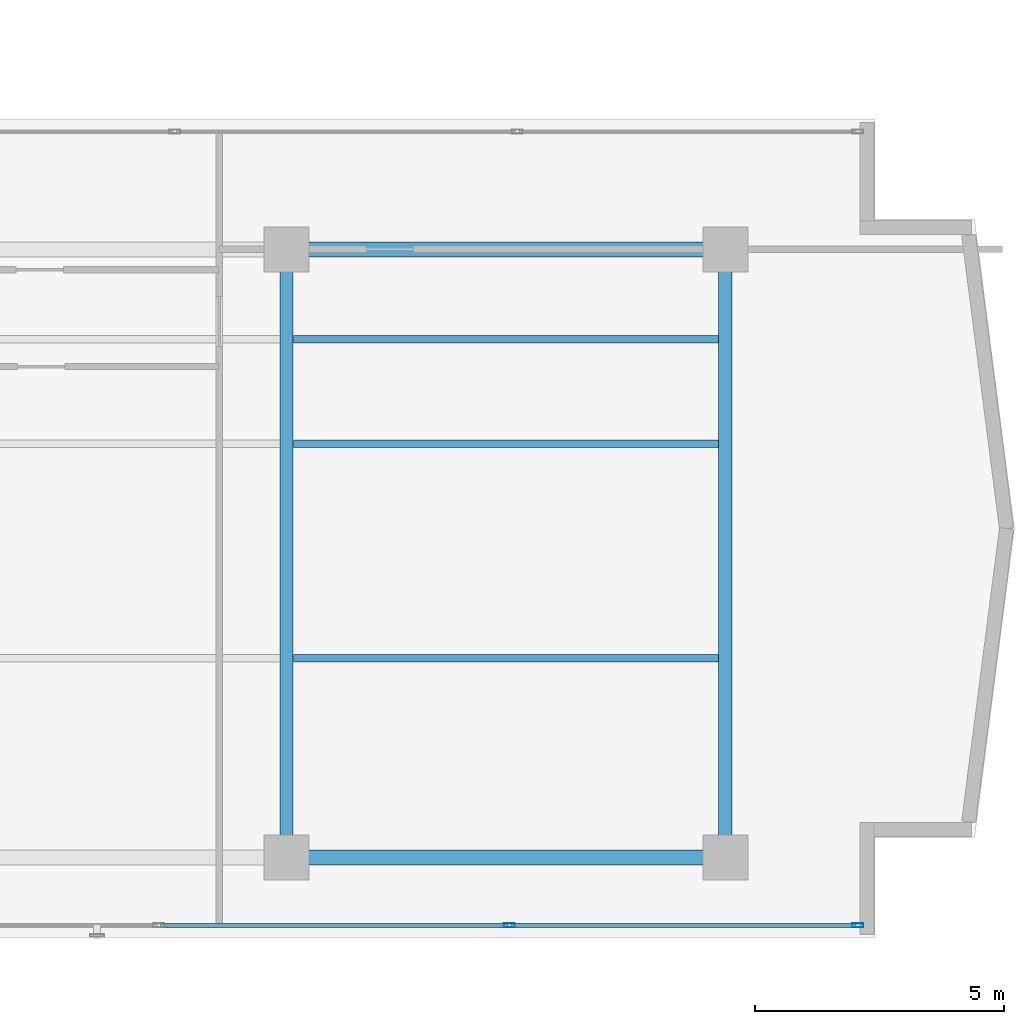
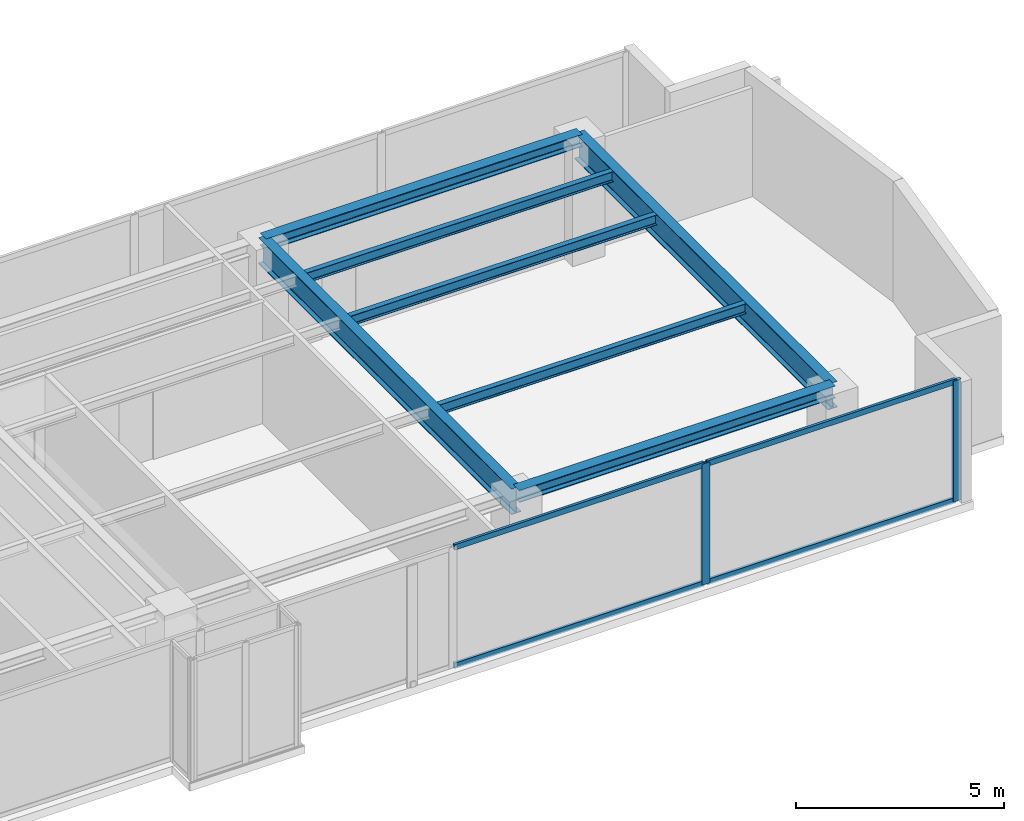
# One storey, part 11 of 22: 7 beams, 6 members, 1 element without a shape of its own.
"""IFC4 building model written with IfcOpenShell, lengths in metres."""

from ifc_helpers import new_model, si_unit, direction, frame, origin, origin_with_axes, origin_2d, place, context, subcontext, project, spatial, hollow_rectangle, i_section, extrude, source, transform, mapped, material, layer, layer_set, material_profile, profile_set, type_object, element, aggregate, save


model = new_model("IFC4")

# Units and contexts
model_context = context("Model", 3, precision=1e-05, world=origin(), true_north=direction((0.0, 1.0)))
body_context = subcontext(model_context, "Body", "Model", "MODEL_VIEW")
ifc_project = project(units=[si_unit("LENGTHUNIT", "METRE"), si_unit("AREAUNIT", "SQUARE_METRE"), si_unit("VOLUMEUNIT", "CUBIC_METRE"), si_unit("PLANEANGLEUNIT", "RADIAN"), si_unit("MASSUNIT", "GRAM", prefix="KILO")], contexts=[model_context])

# Site, building, storey
site_placement = place(None, origin())
site = spatial("IfcSite", under=ifc_project, at=site_placement, CompositionType="ELEMENT")
building_placement = place(site_placement, origin())
building = spatial("IfcBuilding", under=site, at=building_placement, Name="Kolvaren Waterfront Exchange", CompositionType="ELEMENT")
storey_placement = place(building_placement, frame((0.0, 0.0, 262.800048828125)))
storey = spatial("IfcBuildingStorey", under=building, at=storey_placement, Name="L67", CompositionType="ELEMENT", Elevation=262.800048828125)

# Beams
ifc_material_1 = material(Name="Steel S355", Category="steel")
ifc_material_profile_1 = material_profile(ifc_material_1, i_section(OverallWidth=0.300048828125, OverallDepth=0.360107421875, WebThickness=0.012451171875, FlangeThickness=0.0224609375, FilletRadius=0.027099609375, at=origin_2d()), Name="HEB360")
ifc_profile_set_1 = profile_set([ifc_material_profile_1], Name="Steel S355")
beam_type_1 = type_object("IfcBeamType", Name="STR-BM-HEB360", PredefinedType="SPANDREL", material=ifc_profile_set_1)
for number, where, z_axis, x_axis, name in (
    (1, (36.800048828125, 5.199951171875, 3.3798828125), (1.0, 0.0, 0.0), (0.0, 1.0, 0.0), "L67 east-arm spandrel S3"),
    (2, (36.800048828125, 17.39990234375, 3.3798828125), (1.0, 0.0, 0.0), (0.0, 1.0, 0.0), "L67 east-arm spandrel N3"),
):
    element("IfcBeam", number, at=place(storey_placement, frame(where, z_axis=z_axis, x_axis=x_axis)), inside=storey, type_object=beam_type_1, Name=name, PredefinedType="SPANDREL", context=body_context, shape_type="SweptSolid", body=[
        extrude(i_section(OverallWidth=0.300048828125, OverallDepth=0.360107421875, WebThickness=0.012451171875, FlangeThickness=0.0224609375, FilletRadius=0.027099609375, at=origin_2d()), origin(), (0.0, 0.0, 1.0), 8.800048828125),
    ])
ifc_material_profile_2 = material_profile(ifc_material_1, i_section(OverallWidth=0.14990234375, OverallDepth=0.300048828125, WebThickness=0.007080078125, FlangeThickness=0.0107421875, FilletRadius=0.014892578125, at=origin_2d()), Name="IPE300")
ifc_profile_set_2 = profile_set([ifc_material_profile_2], Name="Steel S355")
beam_type_2 = type_object("IfcBeamType", Name="STR-BM-IPE300", PredefinedType="JOIST", material=ifc_profile_set_2)
for number, where, z_axis, x_axis, name in (
    (3, (36.935546875, 13.5, 3.409912109375), (1.0, 0.0, 0.0), (0.0, 1.0, 0.0), "L67 east-arm composite joist 3A"),
    (4, (36.935546875, 15.60009765625, 3.409912109375), (1.0, 0.0, 0.0), (0.0, 1.0, 0.0), "L67 east-arm composite joist 3C"),
    (5, (36.935546875, 9.199951171875, 3.409912109375), (1.0, 0.0, 0.0), (0.0, 1.0, 0.0), "L67 east-arm composite joist 3B"),
):
    element("IfcBeam", number, at=place(storey_placement, frame(where, z_axis=z_axis, x_axis=x_axis)), inside=storey, type_object=beam_type_2, Name=name, PredefinedType="JOIST", context=body_context, shape_type="SweptSolid", body=[
        extrude(i_section(OverallWidth=0.14990234375, OverallDepth=0.300048828125, WebThickness=0.007080078125, FlangeThickness=0.0107421875, FilletRadius=0.014892578125, at=origin_2d()), origin(), (0.0, 0.0, 1.0), 8.529052734375),
    ])
ifc_material_profile_3 = material_profile(ifc_material_1, i_section(OverallWidth=0.26708984375, OverallDepth=0.761962890625, WebThickness=0.014404296875, FlangeThickness=0.021484375, FilletRadius=0.01708984375, at=origin_2d()), Name="IPE750x173")
ifc_profile_set_3 = profile_set([ifc_material_profile_3], Name="Steel S355")
beam_type_3 = type_object("IfcBeamType", Name="STR-BM-IPE750", PredefinedType="BEAM", material=ifc_profile_set_3)
for number, where, z_axis, x_axis, name in (
    (6, (36.800048828125, 5.199951171875, 3.178955078125), (0.0, 1.0, 0.0), (-1.0, 0.0, 0.0), "L67 east-arm transverse girder X36"),
    (7, (45.60009765625, 5.199951171875, 3.178955078125), (0.0, 1.0, 0.0), (-1.0, 0.0, 0.0), "L67 east-arm transverse girder X45"),
):
    element("IfcBeam", number, at=place(storey_placement, frame(where, z_axis=z_axis, x_axis=x_axis)), inside=storey, type_object=beam_type_3, Name=name, PredefinedType="BEAM", context=body_context, shape_type="SweptSolid", body=[
        extrude(i_section(OverallWidth=0.26708984375, OverallDepth=0.761962890625, WebThickness=0.014404296875, FlangeThickness=0.021484375, FilletRadius=0.01708984375, at=origin_2d()), origin(), (0.0, 0.0, 1.0), 12.199951171875),
    ])

# Curtain wall, members
ifc_material_2 = material(Name="Anodised bronze aluminium 6063-T6", Category="aluminium")
ifc_layer = layer(ifc_material_2, 0.219970703125, Name="Anodised bronze aluminium 6063-T6")
ifc_layer_set = layer_set([ifc_layer], Name="Anodised bronze aluminium 6063-T6")
curtain_wall_type = type_object("IfcCurtainWallType", Name="ARC-CW-SYS1", PredefinedType="USERDEFINED", material=ifc_layer_set)
curtain_wall_placement = place(storey_placement, origin())
curtain_wall = element("IfcCurtainWall", 8, at=curtain_wall_placement, inside=storey, type_object=curtain_wall_type, Name="L67 stick curtain wall CW1 (CW-L67-S)", ObjectType="STICK CURTAIN WALL", PredefinedType="USERDEFINED")
ifc_material_3 = material(Name="Anodised aluminium 6063-T6", Category="aluminium")
ifc_material_profile_4 = material_profile(ifc_material_3, hollow_rectangle(XDim=0.080078125, YDim=0.219970703125, WallThickness=0.0048828125, at=origin_2d()), Name="ALU-MUL-220x80x5")
ifc_profile_set_4 = profile_set([ifc_material_profile_4], Name="Anodised aluminium 6063-T6")
member_type_1 = type_object("IfcMemberType", Name="ARC-CWM-220", PredefinedType="MULLION", material=ifc_profile_set_4)
shared_shape_1 = source(origin_with_axes(), body_context, "Body", "SweptSolid", [
    extrude(hollow_rectangle(XDim=0.080078125, YDim=0.219970703125, WallThickness=0.0048828125, at=origin_2d()), origin(), (0.0, 0.0, 1.0), 3.56005859375),
])
member_1_placement = place(storey_placement, frame((41.2666015625, 3.840087890625, 0.0), z_axis=(0.0, 0.0, 1.0), x_axis=(0.0, 1.0, 0.0)))
member_1 = element("IfcMember", 9, at=member_1_placement, type_object=member_type_1, Name="CW1 mullion 6", PredefinedType="MULLION", context=body_context, shape_type="MappedRepresentation", body=[
    mapped(shared_shape_1, transform((0.0, 0.0, 0.0), x_axis=(1.0, 0.0, 0.0), y_axis=(0.0, 1.0, 0.0), z_axis=(0.0, 0.0, 1.0), scale=1.0)),
])
member_2_placement = place(storey_placement, frame((48.260009765625, 3.840087890625, 0.0), z_axis=(0.0, 0.0, 1.0), x_axis=(0.0, 1.0, 0.0)))
member_2 = element("IfcMember", 10, at=member_2_placement, type_object=member_type_1, Name="CW1 mullion 7", PredefinedType="MULLION", context=body_context, shape_type="MappedRepresentation", body=[
    mapped(shared_shape_1, transform((0.0, 0.0, 0.0), x_axis=(1.0, 0.0, 0.0), y_axis=(0.0, 1.0, 0.0), z_axis=(0.0, 0.0, 1.0), scale=1.0)),
])
ifc_material_profile_5 = material_profile(ifc_material_3, hollow_rectangle(XDim=0.074951171875, YDim=0.159912109375, WallThickness=0.00439453125, at=origin_2d()), Name="ALU-TRN-160x75x4.5")
ifc_profile_set_5 = profile_set([ifc_material_profile_5], Name="Anodised aluminium 6063-T6")
member_type_2 = type_object("IfcMemberType", Name="ARC-CWT-160", PredefinedType="USERDEFINED", material=ifc_profile_set_5)
shared_shape_2 = source(origin_with_axes(), body_context, "Body", "SweptSolid", [
    extrude(hollow_rectangle(XDim=0.074951171875, YDim=0.159912109375, WallThickness=0.00439453125, at=origin_2d()), origin(), (0.0, 0.0, 1.0), 6.913330078125),
])
member_3_placement = place(storey_placement, frame((41.306640625, 3.840087890625, 0.037353515625), z_axis=(1.0, 0.0, 0.0), x_axis=(0.0, 1.0, 0.0)))
member_3 = element("IfcMember", 11, at=member_3_placement, type_object=member_type_2, Name="CW1 transom 6.1", ObjectType="TRANSOM", PredefinedType="USERDEFINED", context=body_context, shape_type="MappedRepresentation", body=[
    mapped(shared_shape_2, transform((0.0, 0.0, 0.0), x_axis=(1.0, 0.0, 0.0), y_axis=(0.0, 1.0, 0.0), z_axis=(0.0, 0.0, 1.0), scale=1.0)),
])
member_4_placement = place(storey_placement, frame((41.306640625, 3.840087890625, 3.5224609375), z_axis=(1.0, 0.0, 0.0), x_axis=(0.0, 1.0, 0.0)))
member_4 = element("IfcMember", 12, at=member_4_placement, type_object=member_type_2, Name="CW1 transom 6.2", ObjectType="TRANSOM", PredefinedType="USERDEFINED", context=body_context, shape_type="MappedRepresentation", body=[
    mapped(shared_shape_2, transform((0.0, 0.0, 0.0), x_axis=(1.0, 0.0, 0.0), y_axis=(0.0, 1.0, 0.0), z_axis=(0.0, 0.0, 1.0), scale=1.0)),
])
shared_shape_3 = source(origin_with_axes(), body_context, "Body", "SweptSolid", [
    extrude(hollow_rectangle(XDim=0.074951171875, YDim=0.159912109375, WallThickness=0.00439453125, at=origin_2d()), origin(), (0.0, 0.0, 1.0), 6.953125),
])
member_5_placement = place(storey_placement, frame((34.2734375, 3.840087890625, 0.037353515625), z_axis=(1.0, 0.0, 0.0), x_axis=(0.0, 1.0, 0.0)))
member_5 = element("IfcMember", 13, at=member_5_placement, type_object=member_type_2, Name="CW1 transom 5.1", ObjectType="TRANSOM", PredefinedType="USERDEFINED", context=body_context, shape_type="MappedRepresentation", body=[
    mapped(shared_shape_3, transform((0.0, 0.0, 0.0), x_axis=(1.0, 0.0, 0.0), y_axis=(0.0, 1.0, 0.0), z_axis=(0.0, 0.0, 1.0), scale=1.0)),
])
member_6_placement = place(storey_placement, frame((34.2734375, 3.840087890625, 3.5224609375), z_axis=(1.0, 0.0, 0.0), x_axis=(0.0, 1.0, 0.0)))
member_6 = element("IfcMember", 14, at=member_6_placement, type_object=member_type_2, Name="CW1 transom 5.2", ObjectType="TRANSOM", PredefinedType="USERDEFINED", context=body_context, shape_type="MappedRepresentation", body=[
    mapped(shared_shape_3, transform((0.0, 0.0, 0.0), x_axis=(1.0, 0.0, 0.0), y_axis=(0.0, 1.0, 0.0), z_axis=(0.0, 0.0, 1.0), scale=1.0)),
])
aggregate(curtain_wall, [member_1, member_2, member_5, member_6, member_3, member_4])

save(model, "model.ifc")
